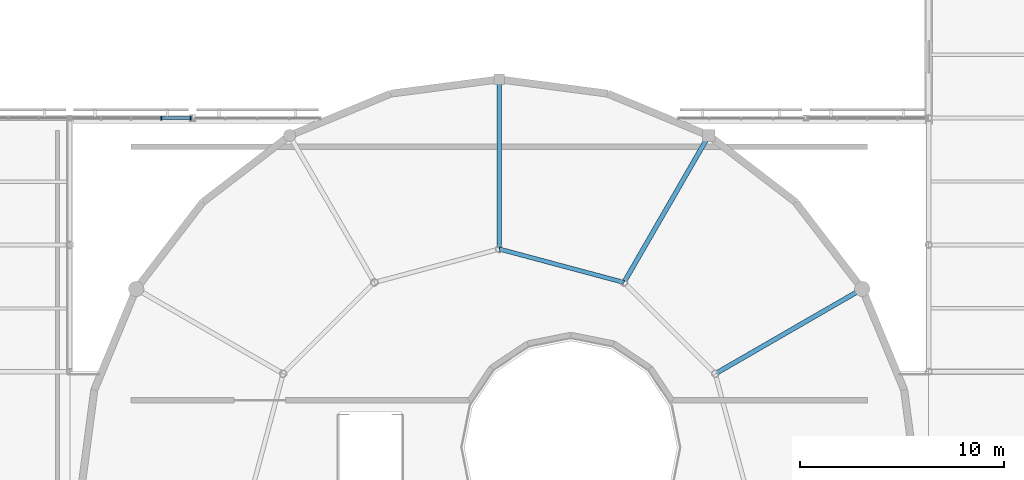
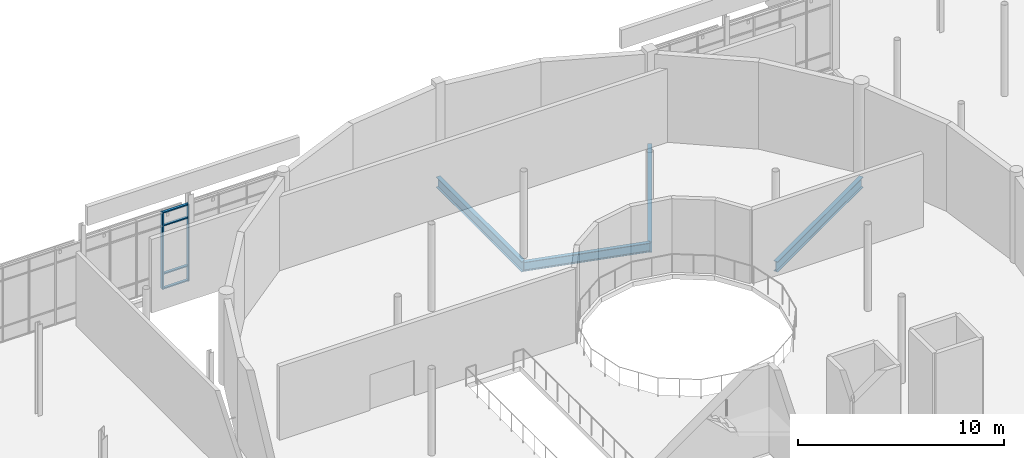
# One storey, part 39 of 105: 6 members, 4 beams, 1 element without a shape of its own.
"""IFC4 building model written with IfcOpenShell, lengths in metres."""

from ifc_helpers import new_model, si_unit, direction, frame, origin, origin_2d, place, context, subcontext, project, spatial, rectangle, i_section, extrude, material, layer, layer_set, material_profile, profile_set, type_object, element, aggregate, save


model = new_model("IFC4")

# Units and contexts
model_context = context("Model", 3, precision=1e-05, world=origin(), true_north=direction((0.0, 1.0)))
body_context = subcontext(model_context, "Body", "Model", "MODEL_VIEW")
ifc_project = project(units=[si_unit("LENGTHUNIT", "METRE"), si_unit("AREAUNIT", "SQUARE_METRE"), si_unit("VOLUMEUNIT", "CUBIC_METRE"), si_unit("PLANEANGLEUNIT", "RADIAN"), si_unit("MASSUNIT", "GRAM", prefix="KILO")], contexts=[model_context])

# Site, building, storey
site_placement = place(None, origin())
site = spatial("IfcSite", under=ifc_project, at=site_placement, CompositionType="ELEMENT")
building_placement = place(site_placement, origin())
building = spatial("IfcBuilding", under=site, at=building_placement, Name="Mirzam Square Science Centre", CompositionType="ELEMENT")
storey_placement = place(building_placement, frame((0.0, 0.0, 5.39990234375)))
storey = spatial("IfcBuildingStorey", under=building, at=storey_placement, Name="L01", CompositionType="ELEMENT", Elevation=5.39990234375)

# Beams
ifc_material_1 = material(Name="Steel S355", Category="steel")
ifc_material_profile_1 = material_profile(ifc_material_1, i_section(OverallWidth=0.2099609375, OverallDepth=0.53662109375, WebThickness=0.0107421875, FlangeThickness=0.017333984375, FilletRadius=0.0126953125, at=origin_2d()), Name="533x210x101UB")
ifc_profile_set_1 = profile_set([ifc_material_profile_1], Name="Steel S355")
beam_type_1 = type_object("IfcBeamType", Name="BM-UB533", PredefinedType="BEAM", material=ifc_profile_set_1)
beam_placement = place(storey_placement, frame((87.10009765625, 72.5654296875, -0.548095703125), z_axis=(-0.965925618712, 0.25881981979, 0.0), x_axis=(-0.25881981979, -0.965925618712, 0.0)))
element("IfcBeam", 1, at=beam_placement, inside=storey, type_object=beam_type_1, Name="L01 inner drum ring girder 03", PredefinedType="BEAM", context=body_context, shape_type="SweptSolid", body=[
    extrude(i_section(OverallWidth=0.2099609375, OverallDepth=0.53662109375, WebThickness=0.0107421875, FlangeThickness=0.017333984375, FilletRadius=0.0126953125, at=origin_2d()), origin(), (0.0, 0.0, 1.0), 6.315185546875),
])
ifc_material_profile_2 = material_profile(ifc_material_1, i_section(OverallWidth=0.22900390625, OverallDepth=0.6123046875, WebThickness=0.011962890625, FlangeThickness=0.01953125, FilletRadius=0.0126953125, at=origin_2d()), Name="610x229x125UB")
ifc_profile_set_2 = profile_set([ifc_material_profile_2], Name="Steel S355")
beam_type_2 = type_object("IfcBeamType", Name="BM-UB610", PredefinedType="BEAM", material=ifc_profile_set_2)
for number, where, z_axis, x_axis, name in (
    (2, (91.5654296875, 68.10009765625, -0.5859375), (0.86602981871, 0.499992353047, 0.0), (-0.499992353047, 0.86602981871, 0.0), "L01 drum radial girder 02"),
    (3, (87.10009765625, 72.5654296875, -0.5859375), (0.499992353047, 0.86602981871, 0.0), (-0.86602981871, 0.499992353047, 0.0), "L01 drum radial girder 03"),
    (4, (81.0, 74.199951171875, -0.5859375), (0.0, 1.0, 0.0), (-1.0, 0.0, 0.0), "L01 drum radial girder 04"),
):
    element("IfcBeam", number, at=place(storey_placement, frame(where, z_axis=z_axis, x_axis=x_axis)), inside=storey, type_object=beam_type_2, Name=name, PredefinedType="BEAM", context=body_context, shape_type="SweptSolid", body=[
        extrude(i_section(OverallWidth=0.22900390625, OverallDepth=0.6123046875, WebThickness=0.011962890625, FlangeThickness=0.01953125, FilletRadius=0.0126953125, at=origin_2d()), origin(), (0.0, 0.0, 1.0), 8.300048828125),
    ])

# Curtain wall, members
ifc_material_2 = material(Name="Anodised Aluminium and Low-E Solar Glass", Category="aluminium")
ifc_layer = layer(ifc_material_2, 0.159912109375)
ifc_layer_set = layer_set([ifc_layer], Name="CW-COURT-A")
curtain_wall_type = type_object("IfcCurtainWallType", Name="CW-COURT-A", PredefinedType="USERDEFINED", material=ifc_layer_set)
curtain_wall_placement = place(storey_placement, origin())
curtain_wall = element("IfcCurtainWall", 5, at=curtain_wall_placement, inside=storey, type_object=curtain_wall_type, Name="L01 unitised curtain wall 50", ObjectType="UNITISED CURTAIN WALL", PredefinedType="USERDEFINED")
ifc_material_3 = material(Name="Anodised Architectural Aluminium 6063-T6", Category="aluminium")
ifc_material_profile_3 = material_profile(ifc_material_3, rectangle(XDim=0.06494140625, YDim=0.199951171875, at=origin_2d()), Name="ALU-MULL-200x65x5")
ifc_profile_set_3 = profile_set([ifc_material_profile_3], Name="Anodised Architectural Aluminium 6063-T6")
member_type_1 = type_object("IfcMemberType", Name="CWM-200", PredefinedType="MULLION", material=ifc_profile_set_3)
member_1_placement = place(storey_placement, frame((65.91259765625, 80.60009765625, 0.0), z_axis=(0.0, 0.0, 1.0), x_axis=(-1.0, 0.0, 0.0)))
member_1 = element("IfcMember", 6, at=member_1_placement, type_object=member_type_1, Name="CW-03 mullion 1", PredefinedType="MULLION", context=body_context, shape_type="SweptSolid", body=[
    extrude(rectangle(XDim=0.06494140625, YDim=0.199951171875, at=origin_2d()), origin(), (0.0, 0.0, 1.0), 4.550048828125),
])
member_2_placement = place(storey_placement, frame((64.472412109375, 80.60009765625, 0.0), z_axis=(0.0, 0.0, 1.0), x_axis=(-1.0, 0.0, 0.0)))
member_2 = element("IfcMember", 7, at=member_2_placement, type_object=member_type_1, Name="CW-03 mullion 2", PredefinedType="MULLION", context=body_context, shape_type="SweptSolid", body=[
    extrude(rectangle(XDim=0.06494140625, YDim=0.199951171875, at=origin_2d()), origin(), (0.0, 0.0, 1.0), 4.550048828125),
])
ifc_material_profile_4 = material_profile(ifc_material_3, rectangle(XDim=0.14990234375, YDim=0.06494140625, at=origin_2d()), Name="ALU-TRAN-150x65x4")
ifc_profile_set_4 = profile_set([ifc_material_profile_4], Name="Anodised Architectural Aluminium 6063-T6")
member_type_2 = type_object("IfcMemberType", Name="CWT-150", PredefinedType="USERDEFINED", material=ifc_profile_set_4)
member_3_placement = place(storey_placement, frame((65.8798828125, 80.60009765625, 0.03271484375), z_axis=(-1.0, 0.0, 0.0), x_axis=(0.0, -1.0, 0.0)))
member_3 = element("IfcMember", 8, at=member_3_placement, type_object=member_type_2, Name="CW-03 transom 1.1", ObjectType="TRANSOM", PredefinedType="USERDEFINED", context=body_context, shape_type="SweptSolid", body=[
    extrude(rectangle(XDim=0.14990234375, YDim=0.06494140625, at=origin_2d()), origin(), (0.0, 0.0, 1.0), 1.375),
])
member_4_placement = place(storey_placement, frame((65.8798828125, 80.60009765625, 0.900146484375), z_axis=(-1.0, 0.0, 0.0), x_axis=(0.0, -1.0, 0.0)))
member_4 = element("IfcMember", 9, at=member_4_placement, type_object=member_type_2, Name="CW-03 transom 1.2", ObjectType="TRANSOM", PredefinedType="USERDEFINED", context=body_context, shape_type="SweptSolid", body=[
    extrude(rectangle(XDim=0.14990234375, YDim=0.06494140625, at=origin_2d()), origin(), (0.0, 0.0, 1.0), 1.375),
])
member_5_placement = place(storey_placement, frame((65.8798828125, 80.60009765625, 3.75), z_axis=(-1.0, 0.0, 0.0), x_axis=(0.0, -1.0, 0.0)))
member_5 = element("IfcMember", 10, at=member_5_placement, type_object=member_type_2, Name="CW-03 transom 1.3", ObjectType="TRANSOM", PredefinedType="USERDEFINED", context=body_context, shape_type="SweptSolid", body=[
    extrude(rectangle(XDim=0.14990234375, YDim=0.06494140625, at=origin_2d()), origin(), (0.0, 0.0, 1.0), 1.375),
])
member_6_placement = place(storey_placement, frame((65.8798828125, 80.60009765625, 4.517578125), z_axis=(-1.0, 0.0, 0.0), x_axis=(0.0, -1.0, 0.0)))
member_6 = element("IfcMember", 11, at=member_6_placement, type_object=member_type_2, Name="CW-03 transom 1.4", ObjectType="TRANSOM", PredefinedType="USERDEFINED", context=body_context, shape_type="SweptSolid", body=[
    extrude(rectangle(XDim=0.14990234375, YDim=0.06494140625, at=origin_2d()), origin(), (0.0, 0.0, 1.0), 1.375),
])
aggregate(curtain_wall, [member_1, member_2, member_3, member_4, member_5, member_6])

save(model, "model.ifc")
